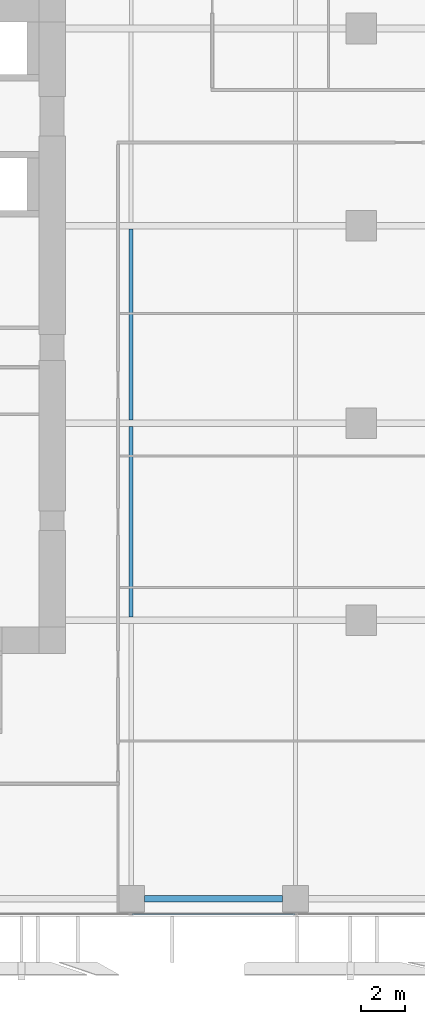
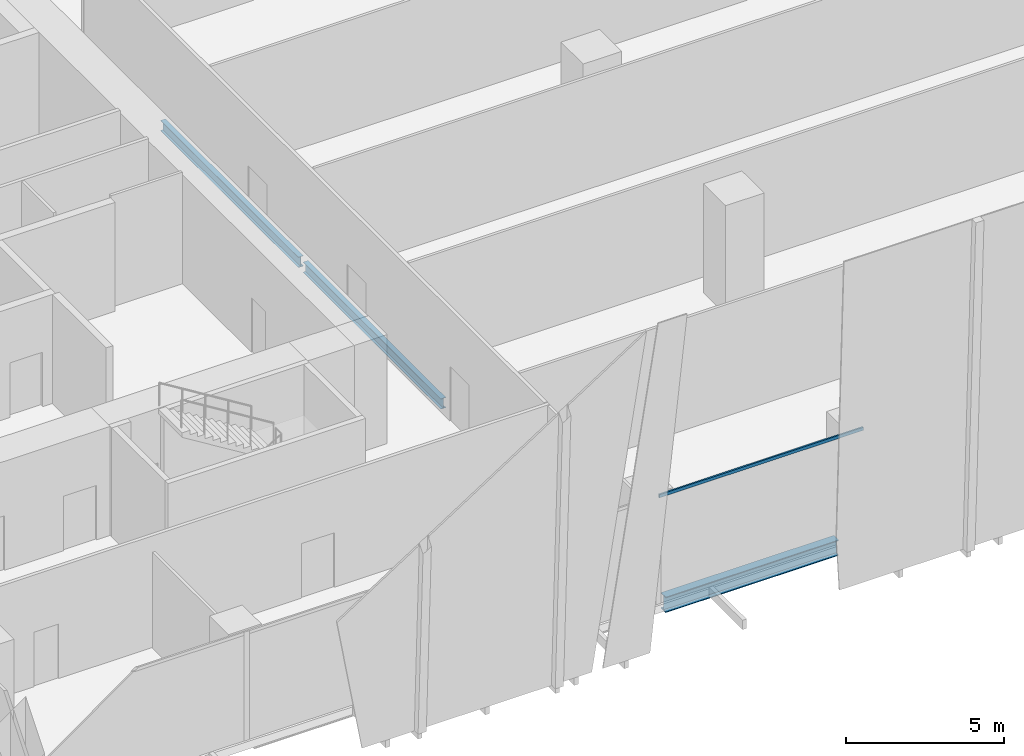
# One storey, part 6 of 37: 3 beams, 1 member, 1 element without a shape of its own.
"""IFC4 building model written with IfcOpenShell, lengths in metres."""

from ifc_helpers import new_model, si_unit, direction, frame, origin, origin_2d, place, context, subcontext, project, spatial, hollow_rectangle, i_section, extrude, source, transform, mapped, material, material_profile, profile_set, type_object, element, aggregate, save


model = new_model("IFC4")

# Units and contexts
model_context = context("Model", 3, precision=1e-05, world=origin(), true_north=direction((0.0, 1.0)))
body_context = subcontext(model_context, "Body", "Model", "MODEL_VIEW")
ifc_project = project(units=[si_unit("LENGTHUNIT", "METRE"), si_unit("AREAUNIT", "SQUARE_METRE"), si_unit("VOLUMEUNIT", "CUBIC_METRE"), si_unit("PLANEANGLEUNIT", "RADIAN"), si_unit("MASSUNIT", "GRAM", prefix="KILO")], contexts=[model_context])

# Site, building, storey
site_placement = place(None, origin())
site = spatial("IfcSite", under=ifc_project, at=site_placement, CompositionType="ELEMENT")
building_placement = place(site_placement, origin())
building = spatial("IfcBuilding", under=site, at=building_placement, Name="Khomas Fold Tower", CompositionType="ELEMENT")
storey_placement = place(building_placement, frame((0.0, 0.0, 60.0)))
storey = spatial("IfcBuildingStorey", under=building, at=storey_placement, Name="L12", CompositionType="ELEMENT", Elevation=60.0)

# Beams
ifc_material_1 = material(Name="Steel S355", Category="steel")
ifc_material_profile_1 = material_profile(ifc_material_1, i_section(OverallWidth=0.179931640625, OverallDepth=0.39990234375, WebThickness=0.008544921875, FlangeThickness=0.013427734375, at=origin_2d()), Name="IPE 400")
ifc_profile_set_1 = profile_set([ifc_material_profile_1], Name="Steel S355")
beam_type_1 = type_object("IfcBeamType", Name="IPE 400 beam JB3", PredefinedType="BEAM", material=ifc_profile_set_1)
shared_shape_1 = source(origin(), body_context, "Body", "SweptSolid", [
    extrude(i_section(OverallWidth=0.179931640625, OverallDepth=0.39990234375, WebThickness=0.008544921875, FlangeThickness=0.013427734375, at=origin_2d()), origin(), (0.0, 0.0, 1.0), 8.7001953125),
])
for number, where, z_axis, x_axis, name in (
    (1, (27.0, 13.64990234375, -0.5), (0.0, 1.0, 0.0), (-1.0, 0.0, 0.0), "JB3"),
    (2, (27.0, 22.64990234375, -0.5), (0.0, 1.0, 0.0), (-1.0, 0.0, 0.0), "JB3"),
):
    element("IfcBeam", number, at=place(storey_placement, frame(where, z_axis=z_axis, x_axis=x_axis)), inside=storey, type_object=beam_type_1, Name=name, PredefinedType="BEAM", context=body_context, shape_type="MappedRepresentation", body=[
        mapped(shared_shape_1, transform((0.0, 0.0, 0.0))),
    ])
ifc_material_2 = material(Name="Steel S355", Category="steel")
ifc_material_profile_2 = material_profile(ifc_material_2, i_section(OverallWidth=0.300048828125, OverallDepth=0.60009765625, WebThickness=0.015380859375, FlangeThickness=0.030029296875, at=origin_2d()), Name="HE 600 B")
ifc_profile_set_2 = profile_set([ifc_material_profile_2], Name="Steel S355")
beam_type_2 = type_object("IfcBeamType", Name="HE 600 B spandrel SB1", PredefinedType="SPANDREL", material=ifc_profile_set_2)
shared_shape_2 = source(origin(), body_context, "Body", "SweptSolid", [
    extrude(i_section(OverallWidth=0.300048828125, OverallDepth=0.60009765625, WebThickness=0.015380859375, FlangeThickness=0.030029296875, at=origin_2d()), origin(), (0.0, 0.0, 1.0), 6.2998046875),
])
beam_placement = place(storey_placement, frame((27.60009765625, 0.800048828125, -0.60009765625), z_axis=(1.0, 0.0, 0.0), x_axis=(0.0, 1.0, 0.0)))
element("IfcBeam", 3, at=beam_placement, inside=storey, type_object=beam_type_2, Name="SB1", PredefinedType="SPANDREL", context=body_context, shape_type="MappedRepresentation", body=[
    mapped(shared_shape_2, transform((0.0, 0.0, 0.0))),
])

# Curtain wall, member
ifc_material_3 = material(Name="Aluminium framed double glazing", Category="aluminium")
curtain_wall_type = type_object("IfcCurtainWallType", Name="SK-Unitised clear-glass wall, growing floors CW1", PredefinedType="NOTDEFINED", material=ifc_material_3)
curtain_wall_placement = place(storey_placement, origin())
curtain_wall = element("IfcCurtainWall", 4, at=curtain_wall_placement, inside=storey, type_object=curtain_wall_type, Name="CW1 run L12 00-0", PredefinedType="NOTDEFINED")
ifc_material_4 = material(Name="Aluminium", Category="aluminium")
ifc_material_profile_3 = material_profile(ifc_material_4, hollow_rectangle(XDim=0.06005859375, YDim=0.1201171875, WallThickness=0.00390625, at=origin_2d()), Name="SK-Unitised clear-glass wall, growing floors transom CW1-T")
ifc_profile_set_3 = profile_set([ifc_material_profile_3], Name="Aluminium")
member_type = type_object("IfcMemberType", Name="SK-Unitised clear-glass wall, growing floors transom CW1-T", PredefinedType="USERDEFINED", material=ifc_profile_set_3)
shared_shape_3 = source(origin(), body_context, "Body", "SweptSolid", [
    extrude(hollow_rectangle(XDim=0.06005859375, YDim=0.1201171875, WallThickness=0.00390625, at=origin_2d()), origin(), (0.0, 0.0, 1.0), 7.43994140625),
])
member_placement = place(storey_placement, frame((27.030029296875, 0.10009765625, 4.139892578125), z_axis=(1.0, 0.0, 0.0), x_axis=(0.0, 1.0, 0.0)))
member = element("IfcMember", 5, at=member_placement, type_object=member_type, Name="CW1 transom 5", ObjectType="TRANSOM", PredefinedType="USERDEFINED", context=body_context, shape_type="MappedRepresentation", body=[
    mapped(shared_shape_3, transform((0.0, 0.0, 0.0))),
])
aggregate(curtain_wall, [member])

save(model, "model.ifc")
